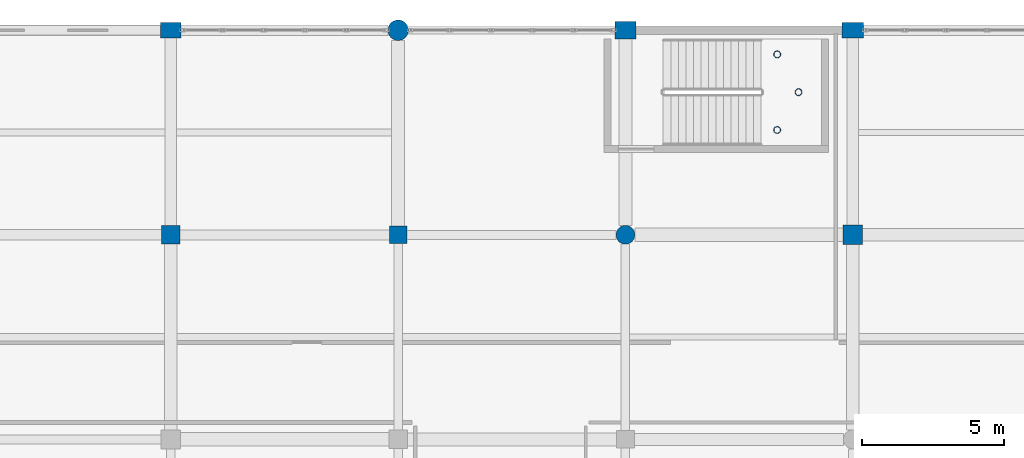
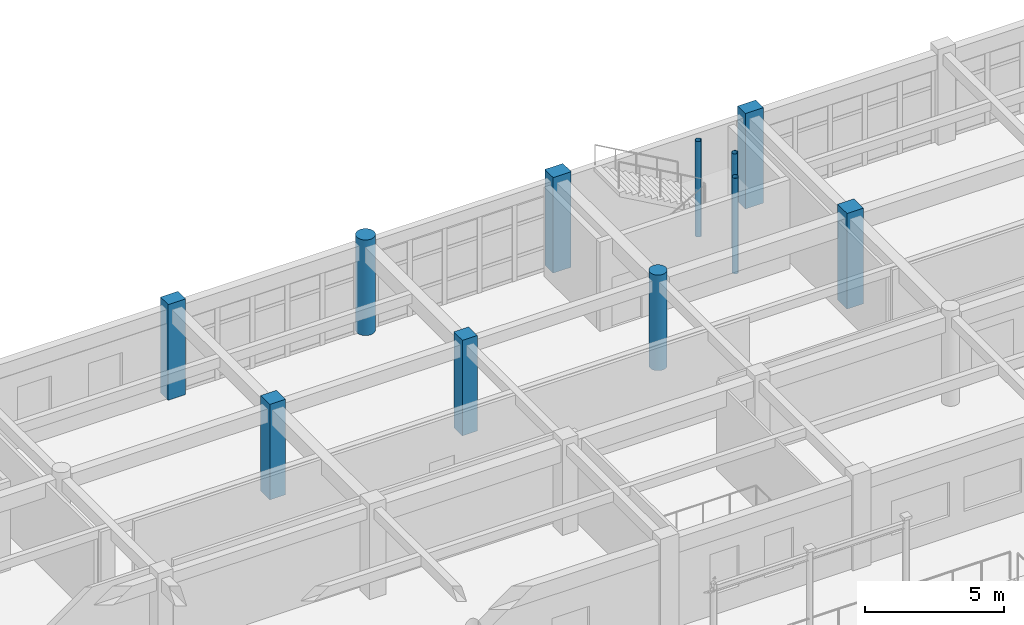
# One storey, part 31 of 195: 11 columns.
"""IFC4 building model written with IfcOpenShell, lengths in metres."""

from ifc_helpers import new_model, si_unit, direction, frame, origin, origin_2d, place, context, subcontext, project, spatial, rectangle, circle, hollow_circle, extrude, material, material_profile, profile_set, type_object, element, save


model = new_model("IFC4")

# Units and contexts
model_context = context("Model", 3, precision=1e-05, world=origin(), true_north=direction((0.0, 1.0)))
body_context = subcontext(model_context, "Body", "Model", "MODEL_VIEW")
ifc_project = project(units=[si_unit("LENGTHUNIT", "METRE"), si_unit("AREAUNIT", "SQUARE_METRE"), si_unit("VOLUMEUNIT", "CUBIC_METRE"), si_unit("PLANEANGLEUNIT", "RADIAN"), si_unit("MASSUNIT", "GRAM", prefix="KILO")], contexts=[model_context])

# Site, building, storey
site_placement = place(None, origin())
site = spatial("IfcSite", under=ifc_project, at=site_placement, CompositionType="ELEMENT")
building_placement = place(site_placement, origin())
building = spatial("IfcBuilding", under=site, at=building_placement, Name="Kharva Crest Polytechnic", CompositionType="ELEMENT")
storey_placement = place(building_placement, frame((0.0, 0.0, 9.0)))
storey = spatial("IfcBuildingStorey", under=building, at=storey_placement, Name="L02", CompositionType="ELEMENT", Elevation=9.0)

# Columns
ifc_material_1 = material(Name="Concrete C40/50", Category="concrete")
ifc_material_profile_1 = material_profile(ifc_material_1, rectangle(XDim=0.719970703125, YDim=0.550048828125, at=origin_2d()), Name="RECT 720 X 550")
ifc_profile_set_1 = profile_set([ifc_material_profile_1], Name="Concrete C40/50")
column_type_1 = type_object("IfcColumnType", Name="COL-EXT-720X550", PredefinedType="COLUMN", material=ifc_profile_set_1)
column_1_placement = place(storey_placement, frame((128.800048828125, 122.0, 0.0), z_axis=(0.0, 0.0, 1.0), x_axis=(1.0, 0.0, 0.0)))
element("IfcColumn", 1, at=column_1_placement, inside=storey, type_object=column_type_1, Name="L02 Column 17/S", PredefinedType="COLUMN", context=body_context, shape_type="SweptSolid", body=[
    extrude(rectangle(XDim=0.719970703125, YDim=0.550048828125, at=origin_2d()), origin(), (0.0, 0.0, 1.0), 4.199951171875),
])
ifc_material_profile_2 = material_profile(ifc_material_1, rectangle(XDim=0.75, YDim=0.550048828125, at=origin_2d()), Name="RECT 750 X 550")
ifc_profile_set_2 = profile_set([ifc_material_profile_2], Name="Concrete C40/50")
column_type_2 = type_object("IfcColumnType", Name="COL-EXT-750X550", PredefinedType="COLUMN", material=ifc_profile_set_2)
column_2_placement = place(storey_placement, frame((152.800048828125, 122.0, 0.0), z_axis=(0.0, 0.0, 1.0), x_axis=(1.0, 0.0, 0.0)))
element("IfcColumn", 2, at=column_2_placement, inside=storey, type_object=column_type_2, Name="L02 Column 20/S", PredefinedType="COLUMN", context=body_context, shape_type="SweptSolid", body=[
    extrude(rectangle(XDim=0.75, YDim=0.550048828125, at=origin_2d()), origin(), (0.0, 0.0, 1.0), 4.199951171875),
])
ifc_material_profile_3 = material_profile(ifc_material_1, rectangle(XDim=0.75, YDim=0.60009765625, at=origin_2d()), Name="RECT 750 X 600")
ifc_profile_set_3 = profile_set([ifc_material_profile_3], Name="Concrete C40/50")
column_type_3 = type_object("IfcColumnType", Name="COL-EXT-750X600", PredefinedType="COLUMN", material=ifc_profile_set_3)
column_3_placement = place(storey_placement, frame((144.800048828125, 122.0, 0.0), z_axis=(0.0, 0.0, 1.0), x_axis=(1.0, 0.0, 0.0)))
element("IfcColumn", 3, at=column_3_placement, inside=storey, type_object=column_type_3, Name="L02 Column 19/S", PredefinedType="COLUMN", context=body_context, shape_type="SweptSolid", body=[
    extrude(rectangle(XDim=0.75, YDim=0.60009765625, at=origin_2d()), origin(), (0.0, 0.0, 1.0), 4.199951171875),
])
ifc_material_profile_4 = material_profile(ifc_material_1, circle(Radius=0.360107421875, at=origin_2d()), Name="DIA 720")
ifc_profile_set_4 = profile_set([ifc_material_profile_4], Name="Concrete C40/50")
column_type_4 = type_object("IfcColumnType", Name="COL-EXT-DIA720", PredefinedType="COLUMN", material=ifc_profile_set_4)
column_4_placement = place(storey_placement, frame((136.800048828125, 122.0, 0.0), z_axis=(0.0, 0.0, 1.0), x_axis=(1.0, 0.0, 0.0)))
element("IfcColumn", 4, at=column_4_placement, inside=storey, type_object=column_type_4, Name="L02 Column 18/S", PredefinedType="COLUMN", context=body_context, shape_type="SweptSolid", body=[
    extrude(circle(Radius=0.360107421875, at=origin_2d()), origin(), (0.0, 0.0, 1.0), 4.199951171875),
])
ifc_material_profile_5 = material_profile(ifc_material_1, rectangle(XDim=0.6201171875, YDim=0.6201171875, at=origin_2d()), Name="RECT 620 X 620")
ifc_profile_set_5 = profile_set([ifc_material_profile_5], Name="Concrete C40/50")
column_type_5 = type_object("IfcColumnType", Name="COL-INT-620X620", PredefinedType="COLUMN", material=ifc_profile_set_5)
column_5_placement = place(storey_placement, frame((136.800048828125, 114.800048828125, 0.0), z_axis=(0.0, 0.0, 1.0), x_axis=(1.0, 0.0, 0.0)))
element("IfcColumn", 5, at=column_5_placement, inside=storey, type_object=column_type_5, Name="L02 Column 18/R", PredefinedType="COLUMN", context=body_context, shape_type="SweptSolid", body=[
    extrude(rectangle(XDim=0.6201171875, YDim=0.6201171875, at=origin_2d()), origin(), (0.0, 0.0, 1.0), 4.199951171875),
])
ifc_material_profile_6 = material_profile(ifc_material_1, rectangle(XDim=0.64990234375, YDim=0.64990234375, at=origin_2d()), Name="RECT 650 X 650")
ifc_profile_set_6 = profile_set([ifc_material_profile_6], Name="Concrete C40/50")
column_type_6 = type_object("IfcColumnType", Name="COL-INT-650X650", PredefinedType="COLUMN", material=ifc_profile_set_6)
column_6_placement = place(storey_placement, frame((128.800048828125, 114.800048828125, 0.0), z_axis=(0.0, 0.0, 1.0), x_axis=(1.0, 0.0, 0.0)))
element("IfcColumn", 6, at=column_6_placement, inside=storey, type_object=column_type_6, Name="L02 Column 17/R", PredefinedType="COLUMN", context=body_context, shape_type="SweptSolid", body=[
    extrude(rectangle(XDim=0.64990234375, YDim=0.64990234375, at=origin_2d()), origin(), (0.0, 0.0, 1.0), 4.199951171875),
])
ifc_material_profile_7 = material_profile(ifc_material_1, rectangle(XDim=0.679931640625, YDim=0.679931640625, at=origin_2d()), Name="RECT 680 X 680")
ifc_profile_set_7 = profile_set([ifc_material_profile_7], Name="Concrete C40/50")
column_type_7 = type_object("IfcColumnType", Name="COL-INT-680X680", PredefinedType="COLUMN", material=ifc_profile_set_7)
column_7_placement = place(storey_placement, frame((152.800048828125, 114.800048828125, 0.0), z_axis=(0.0, 0.0, 1.0), x_axis=(1.0, 0.0, 0.0)))
element("IfcColumn", 7, at=column_7_placement, inside=storey, type_object=column_type_7, Name="L02 Column 20/R", PredefinedType="COLUMN", context=body_context, shape_type="SweptSolid", body=[
    extrude(rectangle(XDim=0.679931640625, YDim=0.679931640625, at=origin_2d()), origin(), (0.0, 0.0, 1.0), 4.199951171875),
])
ifc_material_profile_8 = material_profile(ifc_material_1, circle(Radius=0.330078125, at=origin_2d()), Name="DIA 660")
ifc_profile_set_8 = profile_set([ifc_material_profile_8], Name="Concrete C40/50")
column_type_8 = type_object("IfcColumnType", Name="COL-INT-DIA660", PredefinedType="COLUMN", material=ifc_profile_set_8)
column_8_placement = place(storey_placement, frame((144.800048828125, 114.800048828125, 0.0), z_axis=(0.0, 0.0, 1.0), x_axis=(1.0, 0.0, 0.0)))
element("IfcColumn", 8, at=column_8_placement, inside=storey, type_object=column_type_8, Name="L02 Column 19/R", PredefinedType="COLUMN", context=body_context, shape_type="SweptSolid", body=[
    extrude(circle(Radius=0.330078125, at=origin_2d()), origin(), (0.0, 0.0, 1.0), 4.199951171875),
])
ifc_material_2 = material(Name="Steel S355", Category="steel")
ifc_material_profile_9 = material_profile(ifc_material_2, hollow_circle(Radius=0.122314453125, WallThickness=0.010009765625, at=origin_2d()), Name="CHS 244.5X10.0")
ifc_profile_set_9 = profile_set([ifc_material_profile_9], Name="Steel S355")
column_type_9 = type_object("IfcColumnType", Name="COL-STL-CHS244", PredefinedType="COLUMN", material=ifc_profile_set_9)
for number, where, z_axis, x_axis, name in (
    (9, (150.139892578125, 118.489990234375, 0.0), (0.0, 0.0, 1.0), (1.0, 0.0, 0.0), "L02 Stair ST-09 Landing Support Column SW"),
    (10, (150.139892578125, 121.14990234375, 0.0), (0.0, 0.0, 1.0), (1.0, 0.0, 0.0), "L02 Stair ST-09 Landing Support Column NW"),
    (11, (150.889892578125, 119.820068359375, 0.0), (0.0, 0.0, 1.0), (1.0, 0.0, 0.0), "L02 Stair ST-09 Landing Support Column EM"),
):
    element("IfcColumn", number, at=place(storey_placement, frame(where, z_axis=z_axis, x_axis=x_axis)), inside=storey, type_object=column_type_9, Name=name, PredefinedType="COLUMN", context=body_context, shape_type="SweptSolid", body=[
        extrude(hollow_circle(Radius=0.122314453125, WallThickness=0.010009765625, at=origin_2d()), origin(), (0.0, 0.0, 1.0), 4.199951171875),
    ])

save(model, "model.ifc")
